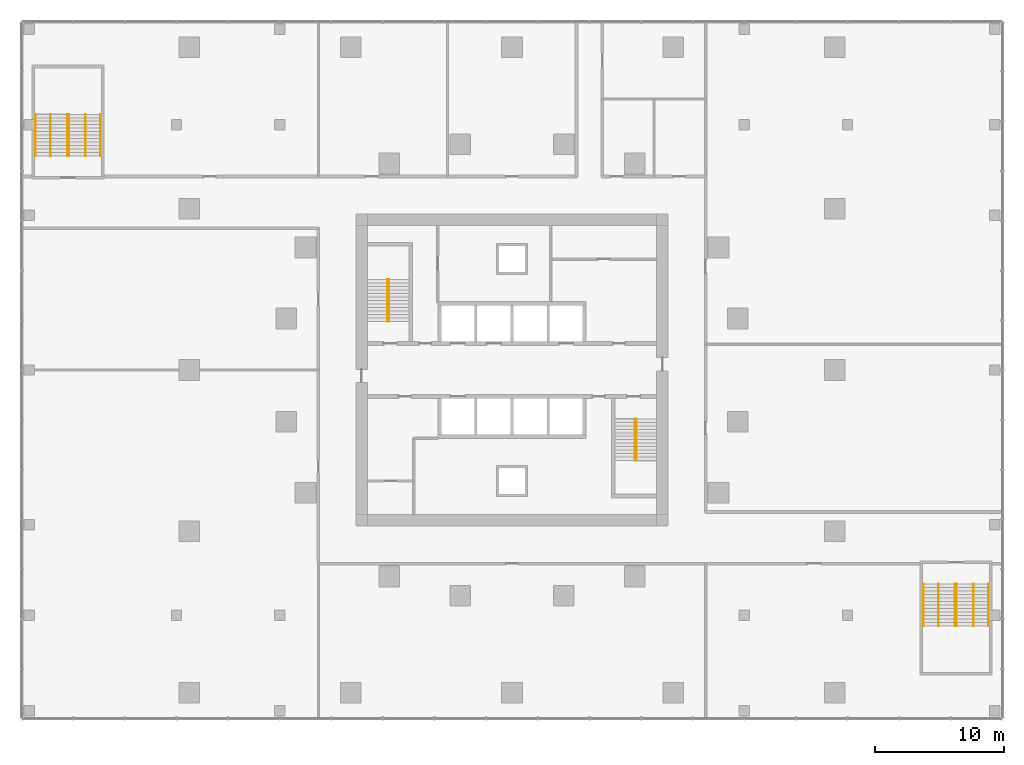
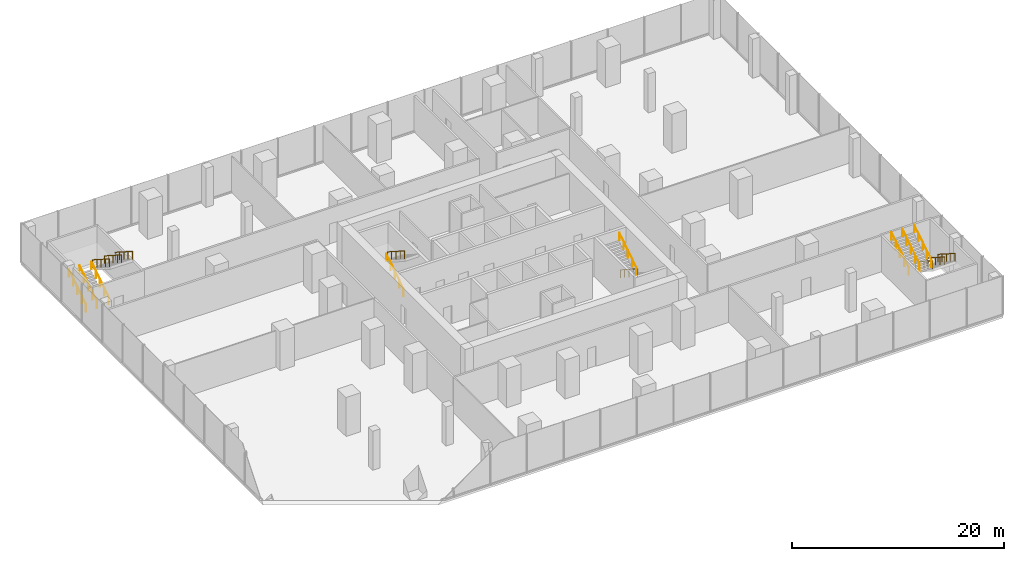
# One storey, part 15 of 15: 16 railings, 4 elements without a shape of their own.
"""IFC4 building model written with IfcOpenShell, lengths in metres."""

from ifc_helpers import new_model, si_unit, direction, frame, origin, origin_2d, place, context, subcontext, project, spatial, circle, extrude, material, type_object, element, aggregate, save


model = new_model("IFC4")

# Units and contexts
model_context = context("Model", 3, precision=1e-05, world=origin(), true_north=direction((0.0, 1.0)))
body_context = subcontext(model_context, "Body", "Model", "MODEL_VIEW")
ifc_project = project(units=[si_unit("LENGTHUNIT", "METRE"), si_unit("AREAUNIT", "SQUARE_METRE"), si_unit("VOLUMEUNIT", "CUBIC_METRE"), si_unit("PLANEANGLEUNIT", "RADIAN"), si_unit("MASSUNIT", "GRAM", prefix="KILO")], contexts=[model_context])

# Site, building, storey
site_placement = place(None, origin())
site = spatial("IfcSite", under=ifc_project, at=site_placement, CompositionType="ELEMENT")
building_placement = place(site_placement, origin())
building = spatial("IfcBuilding", under=site, at=building_placement, Name="Torsade Residences", CompositionType="ELEMENT")
storey_placement = place(building_placement, frame((0.0, 0.0, 6.0)))
storey = spatial("IfcBuildingStorey", under=building, at=storey_placement, Name="L01", CompositionType="ELEMENT", Elevation=6.0)

# Stair, railings
ifc_material_1 = material(Name="Precast concrete 40 MPa", Category="concrete")
stair_type_1 = type_object("IfcStairType", Name="HALF-TURN FIRE STAIR 1500x4500", PredefinedType="HALF_TURN_STAIR", material=ifc_material_1)
stair_1_placement = place(storey_placement, origin())
stair_1 = element("IfcStair", 1, at=stair_1_placement, inside=storey, type_object=stair_type_1, Name="Stair ST1 L01", PredefinedType="HALF_TURN_STAIR")
ifc_material_2 = material(Name="Steel handrail", Category="steel")
railing_type = type_object("IfcRailingType", Name="STAIR HANDRAIL 900", PredefinedType="HANDRAIL", material=ifc_material_2)
railing_1_placement = place(storey_placement, frame((30.35009765625, 33.780029296875, 0.173095703125)))
railing_1 = element("IfcRailing", 2, at=railing_1_placement, type_object=railing_type, Name="Handrail ST1 flight 1 L01", PredefinedType="HANDRAIL", context=body_context, shape_type="SweptSolid", body=[
    extrude(circle(Radius=0.02392578125, at=origin_2d()), frame((0.0, 0.0, 0.8759765625), z_axis=(0.0, 0.841880617004, 0.539663808971), x_axis=(-1.0, 0.0, 0.0)), (0.0, 0.0, 1.0), 3.8486328125),
    extrude(circle(Radius=0.02099609375, at=origin_2d()), origin(), (0.0, 0.0, 1.0), 0.851806640625),
    extrude(circle(Radius=0.02099609375, at=origin_2d()), frame((0.0, 0.81005859375, 0.519287109375)), (0.0, 0.0, 1.0), 0.851806640625),
    extrude(circle(Radius=0.02099609375, at=origin_2d()), frame((0.0, 1.6201171875, 1.03857421875)), (0.0, 0.0, 1.0), 0.851806640625),
    extrude(circle(Radius=0.02099609375, at=origin_2d()), frame((0.0, 2.429931640625, 1.5576171875)), (0.0, 0.0, 1.0), 0.851806640625),
    extrude(circle(Radius=0.02099609375, at=origin_2d()), frame((0.0, 3.239990234375, 2.076904296875)), (0.0, 0.0, 1.0), 0.851806640625),
])
railing_2_placement = place(storey_placement, frame((30.449951171875, 37.02001953125, 2.423095703125)))
railing_2 = element("IfcRailing", 3, at=railing_2_placement, type_object=railing_type, Name="Handrail ST1 flight 2 L01", PredefinedType="HANDRAIL", context=body_context, shape_type="SweptSolid", body=[
    extrude(circle(Radius=0.02392578125, at=origin_2d()), frame((0.0, 0.0, 0.8759765625), z_axis=(0.0, -0.841880617004, 0.539663808971), x_axis=(1.0, 0.0, 0.0)), (0.0, 0.0, 1.0), 3.8486328125),
    extrude(circle(Radius=0.02099609375, at=origin_2d()), origin(), (0.0, 0.0, 1.0), 0.851806640625),
    extrude(circle(Radius=0.02099609375, at=origin_2d()), frame((0.0, -0.81005859375, 0.519287109375)), (0.0, 0.0, 1.0), 0.851806640625),
    extrude(circle(Radius=0.02099609375, at=origin_2d()), frame((0.0, -1.6201171875, 1.03857421875)), (0.0, 0.0, 1.0), 0.851806640625),
    extrude(circle(Radius=0.02099609375, at=origin_2d()), frame((0.0, -2.429931640625, 1.5576171875)), (0.0, 0.0, 1.0), 0.851806640625),
    extrude(circle(Radius=0.02099609375, at=origin_2d()), frame((0.0, -3.239990234375, 2.076904296875)), (0.0, 0.0, 1.0), 0.851806640625),
])
aggregate(stair_1, [railing_1, railing_2])

stair_2_placement = place(storey_placement, origin())
stair_2 = element("IfcStair", 4, at=stair_2_placement, inside=storey, type_object=stair_type_1, Name="Stair ST2 L01", PredefinedType="HALF_TURN_STAIR")
railing_3_placement = place(storey_placement, frame((49.64990234375, 26.219970703125, 0.173095703125)))
railing_3 = element("IfcRailing", 5, at=railing_3_placement, type_object=railing_type, Name="Handrail ST2 flight 1 L01", PredefinedType="HANDRAIL", context=body_context, shape_type="SweptSolid", body=[
    extrude(circle(Radius=0.02392578125, at=origin_2d()), frame((0.0, 0.0, 0.8759765625), z_axis=(0.0, -0.841880617004, 0.539663808971), x_axis=(1.0, 0.0, 0.0)), (0.0, 0.0, 1.0), 3.8486328125),
    extrude(circle(Radius=0.02099609375, at=origin_2d()), origin(), (0.0, 0.0, 1.0), 0.851806640625),
    extrude(circle(Radius=0.02099609375, at=origin_2d()), frame((0.0, -0.81005859375, 0.519287109375)), (0.0, 0.0, 1.0), 0.851806640625),
    extrude(circle(Radius=0.02099609375, at=origin_2d()), frame((0.0, -1.6201171875, 1.03857421875)), (0.0, 0.0, 1.0), 0.851806640625),
    extrude(circle(Radius=0.02099609375, at=origin_2d()), frame((0.0, -2.429931640625, 1.5576171875)), (0.0, 0.0, 1.0), 0.851806640625),
    extrude(circle(Radius=0.02099609375, at=origin_2d()), frame((0.0, -3.239990234375, 2.076904296875)), (0.0, 0.0, 1.0), 0.851806640625),
])
railing_4_placement = place(storey_placement, frame((49.550048828125, 22.97998046875, 2.423095703125)))
railing_4 = element("IfcRailing", 6, at=railing_4_placement, type_object=railing_type, Name="Handrail ST2 flight 2 L01", PredefinedType="HANDRAIL", context=body_context, shape_type="SweptSolid", body=[
    extrude(circle(Radius=0.02392578125, at=origin_2d()), frame((0.0, 0.0, 0.8759765625), z_axis=(0.0, 0.841880617004, 0.539663808971), x_axis=(-1.0, 0.0, 0.0)), (0.0, 0.0, 1.0), 3.8486328125),
    extrude(circle(Radius=0.02099609375, at=origin_2d()), origin(), (0.0, 0.0, 1.0), 0.851806640625),
    extrude(circle(Radius=0.02099609375, at=origin_2d()), frame((0.0, 0.81005859375, 0.519287109375)), (0.0, 0.0, 1.0), 0.851806640625),
    extrude(circle(Radius=0.02099609375, at=origin_2d()), frame((0.0, 1.6201171875, 1.03857421875)), (0.0, 0.0, 1.0), 0.851806640625),
    extrude(circle(Radius=0.02099609375, at=origin_2d()), frame((0.0, 2.429931640625, 1.5576171875)), (0.0, 0.0, 1.0), 0.851806640625),
    extrude(circle(Radius=0.02099609375, at=origin_2d()), frame((0.0, 3.239990234375, 2.076904296875)), (0.0, 0.0, 1.0), 0.851806640625),
])
aggregate(stair_2, [railing_3, railing_4])

ifc_material_3 = material(Name="Concrete 40 MPa", Category="concrete")
stair_type_2 = type_object("IfcStairType", Name="HALF-TURN PODIUM STAIR 2500x4500", PredefinedType="HALF_TURN_STAIR", material=ifc_material_3)
stair_3_placement = place(storey_placement, origin())
stair_3 = element("IfcStair", 7, at=stair_3_placement, inside=storey, type_object=stair_type_2, Name="Stair ST3 L01", PredefinedType="HALF_TURN_STAIR")
railing_5_placement = place(storey_placement, frame((5.550048828125, 46.580078125, 0.173095703125)))
railing_5 = element("IfcRailing", 8, at=railing_5_placement, type_object=railing_type, Name="Handrail ST3 flight 1 L01", PredefinedType="HANDRAIL", context=body_context, shape_type="SweptSolid", body=[
    extrude(circle(Radius=0.02392578125, at=origin_2d()), frame((0.0, 0.0, 0.8759765625), z_axis=(0.0, 0.841880617004, 0.539663808971), x_axis=(-1.0, 0.0, 0.0)), (0.0, 0.0, 1.0), 3.8486328125),
    extrude(circle(Radius=0.02099609375, at=origin_2d()), origin(), (0.0, 0.0, 1.0), 0.851806640625),
    extrude(circle(Radius=0.02099609375, at=origin_2d()), frame((0.0, 0.81005859375, 0.519287109375)), (0.0, 0.0, 1.0), 0.851806640625),
    extrude(circle(Radius=0.02099609375, at=origin_2d()), frame((0.0, 1.6201171875, 1.03857421875)), (0.0, 0.0, 1.0), 0.851806640625),
    extrude(circle(Radius=0.02099609375, at=origin_2d()), frame((0.0, 2.429931640625, 1.5576171875)), (0.0, 0.0, 1.0), 0.851806640625),
    extrude(circle(Radius=0.02099609375, at=origin_2d()), frame((0.0, 3.239990234375, 2.076904296875)), (0.0, 0.0, 1.0), 0.851806640625),
])
railing_6_placement = place(storey_placement, frame((3.073974609375, 46.580078125, 0.173095703125)))
railing_6 = element("IfcRailing", 9, at=railing_6_placement, type_object=railing_type, Name="Handrail ST3 flight 1 wall side L01", PredefinedType="HANDRAIL", context=body_context, shape_type="SweptSolid", body=[
    extrude(circle(Radius=0.02392578125, at=origin_2d()), frame((0.0, 0.0, 0.8759765625), z_axis=(0.0, 0.841880617004, 0.539663808971), x_axis=(-1.0, 0.0, 0.0)), (0.0, 0.0, 1.0), 3.8486328125),
    extrude(circle(Radius=0.02099609375, at=origin_2d()), origin(), (0.0, 0.0, 1.0), 0.851806640625),
    extrude(circle(Radius=0.02099609375, at=origin_2d()), frame((0.0, 0.81005859375, 0.519287109375)), (0.0, 0.0, 1.0), 0.851806640625),
    extrude(circle(Radius=0.02099609375, at=origin_2d()), frame((0.0, 1.6201171875, 1.03857421875)), (0.0, 0.0, 1.0), 0.851806640625),
    extrude(circle(Radius=0.02099609375, at=origin_2d()), frame((0.0, 2.429931640625, 1.5576171875)), (0.0, 0.0, 1.0), 0.851806640625),
    extrude(circle(Radius=0.02099609375, at=origin_2d()), frame((0.0, 3.239990234375, 2.076904296875)), (0.0, 0.0, 1.0), 0.851806640625),
])
railing_7_placement = place(storey_placement, frame((4.25, 46.580078125, 0.173095703125)))
railing_7 = element("IfcRailing", 10, at=railing_7_placement, type_object=railing_type, Name="Handrail ST3 flight 1 intermediate L01", PredefinedType="HANDRAIL", context=body_context, shape_type="SweptSolid", body=[
    extrude(circle(Radius=0.02392578125, at=origin_2d()), frame((0.0, 0.0, 0.8759765625), z_axis=(0.0, 0.841880617004, 0.539663808971), x_axis=(-1.0, 0.0, 0.0)), (0.0, 0.0, 1.0), 3.8486328125),
    extrude(circle(Radius=0.02099609375, at=origin_2d()), origin(), (0.0, 0.0, 1.0), 0.851806640625),
    extrude(circle(Radius=0.02099609375, at=origin_2d()), frame((0.0, 0.81005859375, 0.519287109375)), (0.0, 0.0, 1.0), 0.851806640625),
    extrude(circle(Radius=0.02099609375, at=origin_2d()), frame((0.0, 1.6201171875, 1.03857421875)), (0.0, 0.0, 1.0), 0.851806640625),
    extrude(circle(Radius=0.02099609375, at=origin_2d()), frame((0.0, 2.429931640625, 1.5576171875)), (0.0, 0.0, 1.0), 0.851806640625),
    extrude(circle(Radius=0.02099609375, at=origin_2d()), frame((0.0, 3.239990234375, 2.076904296875)), (0.0, 0.0, 1.0), 0.851806640625),
])
railing_8_placement = place(storey_placement, frame((5.64990234375, 49.820068359375, 2.423095703125)))
railing_8 = element("IfcRailing", 11, at=railing_8_placement, type_object=railing_type, Name="Handrail ST3 flight 2 L01", PredefinedType="HANDRAIL", context=body_context, shape_type="SweptSolid", body=[
    extrude(circle(Radius=0.02392578125, at=origin_2d()), frame((0.0, 0.0, 0.8759765625), z_axis=(0.0, -0.841880617004, 0.539663808971), x_axis=(1.0, 0.0, 0.0)), (0.0, 0.0, 1.0), 3.8486328125),
    extrude(circle(Radius=0.02099609375, at=origin_2d()), origin(), (0.0, 0.0, 1.0), 0.851806640625),
    extrude(circle(Radius=0.02099609375, at=origin_2d()), frame((0.0, -0.81005859375, 0.519287109375)), (0.0, 0.0, 1.0), 0.851806640625),
    extrude(circle(Radius=0.02099609375, at=origin_2d()), frame((0.0, -1.6201171875, 1.03857421875)), (0.0, 0.0, 1.0), 0.851806640625),
    extrude(circle(Radius=0.02099609375, at=origin_2d()), frame((0.0, -2.429931640625, 1.5576171875)), (0.0, 0.0, 1.0), 0.851806640625),
    extrude(circle(Radius=0.02099609375, at=origin_2d()), frame((0.0, -3.239990234375, 2.076904296875)), (0.0, 0.0, 1.0), 0.851806640625),
])
railing_9_placement = place(storey_placement, frame((8.1259765625, 49.820068359375, 2.423095703125)))
railing_9 = element("IfcRailing", 12, at=railing_9_placement, type_object=railing_type, Name="Handrail ST3 flight 2 wall side L01", PredefinedType="HANDRAIL", context=body_context, shape_type="SweptSolid", body=[
    extrude(circle(Radius=0.02392578125, at=origin_2d()), frame((0.0, 0.0, 0.8759765625), z_axis=(0.0, -0.841880617004, 0.539663808971), x_axis=(1.0, 0.0, 0.0)), (0.0, 0.0, 1.0), 3.8486328125),
    extrude(circle(Radius=0.02099609375, at=origin_2d()), origin(), (0.0, 0.0, 1.0), 0.851806640625),
    extrude(circle(Radius=0.02099609375, at=origin_2d()), frame((0.0, -0.81005859375, 0.519287109375)), (0.0, 0.0, 1.0), 0.851806640625),
    extrude(circle(Radius=0.02099609375, at=origin_2d()), frame((0.0, -1.6201171875, 1.03857421875)), (0.0, 0.0, 1.0), 0.851806640625),
    extrude(circle(Radius=0.02099609375, at=origin_2d()), frame((0.0, -2.429931640625, 1.5576171875)), (0.0, 0.0, 1.0), 0.851806640625),
    extrude(circle(Radius=0.02099609375, at=origin_2d()), frame((0.0, -3.239990234375, 2.076904296875)), (0.0, 0.0, 1.0), 0.851806640625),
])
railing_10_placement = place(storey_placement, frame((6.949951171875, 49.820068359375, 2.423095703125)))
railing_10 = element("IfcRailing", 13, at=railing_10_placement, type_object=railing_type, Name="Handrail ST3 flight 2 intermediate L01", PredefinedType="HANDRAIL", context=body_context, shape_type="SweptSolid", body=[
    extrude(circle(Radius=0.02392578125, at=origin_2d()), frame((0.0, 0.0, 0.8759765625), z_axis=(0.0, -0.841880617004, 0.539663808971), x_axis=(1.0, 0.0, 0.0)), (0.0, 0.0, 1.0), 3.8486328125),
    extrude(circle(Radius=0.02099609375, at=origin_2d()), origin(), (0.0, 0.0, 1.0), 0.851806640625),
    extrude(circle(Radius=0.02099609375, at=origin_2d()), frame((0.0, -0.81005859375, 0.519287109375)), (0.0, 0.0, 1.0), 0.851806640625),
    extrude(circle(Radius=0.02099609375, at=origin_2d()), frame((0.0, -1.6201171875, 1.03857421875)), (0.0, 0.0, 1.0), 0.851806640625),
    extrude(circle(Radius=0.02099609375, at=origin_2d()), frame((0.0, -2.429931640625, 1.5576171875)), (0.0, 0.0, 1.0), 0.851806640625),
    extrude(circle(Radius=0.02099609375, at=origin_2d()), frame((0.0, -3.239990234375, 2.076904296875)), (0.0, 0.0, 1.0), 0.851806640625),
])
aggregate(stair_3, [railing_5, railing_6, railing_7, railing_8, railing_9, railing_10])

stair_4_placement = place(storey_placement, origin())
stair_4 = element("IfcStair", 14, at=stair_4_placement, inside=storey, type_object=stair_type_2, Name="Stair ST4 L01", PredefinedType="HALF_TURN_STAIR")
railing_11_placement = place(storey_placement, frame((74.449951171875, 13.419921875, 0.173095703125)))
railing_11 = element("IfcRailing", 15, at=railing_11_placement, type_object=railing_type, Name="Handrail ST4 flight 1 L01", PredefinedType="HANDRAIL", context=body_context, shape_type="SweptSolid", body=[
    extrude(circle(Radius=0.02392578125, at=origin_2d()), frame((0.0, 0.0, 0.8759765625), z_axis=(0.0, -0.841880617004, 0.539663808971), x_axis=(1.0, 0.0, 0.0)), (0.0, 0.0, 1.0), 3.8486328125),
    extrude(circle(Radius=0.02099609375, at=origin_2d()), origin(), (0.0, 0.0, 1.0), 0.851806640625),
    extrude(circle(Radius=0.02099609375, at=origin_2d()), frame((0.0, -0.81005859375, 0.519287109375)), (0.0, 0.0, 1.0), 0.851806640625),
    extrude(circle(Radius=0.02099609375, at=origin_2d()), frame((0.0, -1.6201171875, 1.03857421875)), (0.0, 0.0, 1.0), 0.851806640625),
    extrude(circle(Radius=0.02099609375, at=origin_2d()), frame((0.0, -2.429931640625, 1.5576171875)), (0.0, 0.0, 1.0), 0.851806640625),
    extrude(circle(Radius=0.02099609375, at=origin_2d()), frame((0.0, -3.239990234375, 2.076904296875)), (0.0, 0.0, 1.0), 0.851806640625),
])
railing_12_placement = place(storey_placement, frame((76.926025390625, 13.419921875, 0.173095703125)))
railing_12 = element("IfcRailing", 16, at=railing_12_placement, type_object=railing_type, Name="Handrail ST4 flight 1 wall side L01", PredefinedType="HANDRAIL", context=body_context, shape_type="SweptSolid", body=[
    extrude(circle(Radius=0.02392578125, at=origin_2d()), frame((0.0, 0.0, 0.8759765625), z_axis=(0.0, -0.841880617004, 0.539663808971), x_axis=(1.0, 0.0, 0.0)), (0.0, 0.0, 1.0), 3.8486328125),
    extrude(circle(Radius=0.02099609375, at=origin_2d()), origin(), (0.0, 0.0, 1.0), 0.851806640625),
    extrude(circle(Radius=0.02099609375, at=origin_2d()), frame((0.0, -0.81005859375, 0.519287109375)), (0.0, 0.0, 1.0), 0.851806640625),
    extrude(circle(Radius=0.02099609375, at=origin_2d()), frame((0.0, -1.6201171875, 1.03857421875)), (0.0, 0.0, 1.0), 0.851806640625),
    extrude(circle(Radius=0.02099609375, at=origin_2d()), frame((0.0, -2.429931640625, 1.5576171875)), (0.0, 0.0, 1.0), 0.851806640625),
    extrude(circle(Radius=0.02099609375, at=origin_2d()), frame((0.0, -3.239990234375, 2.076904296875)), (0.0, 0.0, 1.0), 0.851806640625),
])
railing_13_placement = place(storey_placement, frame((75.75, 13.419921875, 0.173095703125)))
railing_13 = element("IfcRailing", 17, at=railing_13_placement, type_object=railing_type, Name="Handrail ST4 flight 1 intermediate L01", PredefinedType="HANDRAIL", context=body_context, shape_type="SweptSolid", body=[
    extrude(circle(Radius=0.02392578125, at=origin_2d()), frame((0.0, 0.0, 0.8759765625), z_axis=(0.0, -0.841880617004, 0.539663808971), x_axis=(1.0, 0.0, 0.0)), (0.0, 0.0, 1.0), 3.8486328125),
    extrude(circle(Radius=0.02099609375, at=origin_2d()), origin(), (0.0, 0.0, 1.0), 0.851806640625),
    extrude(circle(Radius=0.02099609375, at=origin_2d()), frame((0.0, -0.81005859375, 0.519287109375)), (0.0, 0.0, 1.0), 0.851806640625),
    extrude(circle(Radius=0.02099609375, at=origin_2d()), frame((0.0, -1.6201171875, 1.03857421875)), (0.0, 0.0, 1.0), 0.851806640625),
    extrude(circle(Radius=0.02099609375, at=origin_2d()), frame((0.0, -2.429931640625, 1.5576171875)), (0.0, 0.0, 1.0), 0.851806640625),
    extrude(circle(Radius=0.02099609375, at=origin_2d()), frame((0.0, -3.239990234375, 2.076904296875)), (0.0, 0.0, 1.0), 0.851806640625),
])
railing_14_placement = place(storey_placement, frame((74.35009765625, 10.179931640625, 2.423095703125)))
railing_14 = element("IfcRailing", 18, at=railing_14_placement, type_object=railing_type, Name="Handrail ST4 flight 2 L01", PredefinedType="HANDRAIL", context=body_context, shape_type="SweptSolid", body=[
    extrude(circle(Radius=0.02392578125, at=origin_2d()), frame((0.0, 0.0, 0.8759765625), z_axis=(0.0, 0.841880617004, 0.539663808971), x_axis=(-1.0, 0.0, 0.0)), (0.0, 0.0, 1.0), 3.8486328125),
    extrude(circle(Radius=0.02099609375, at=origin_2d()), origin(), (0.0, 0.0, 1.0), 0.851806640625),
    extrude(circle(Radius=0.02099609375, at=origin_2d()), frame((0.0, 0.81005859375, 0.519287109375)), (0.0, 0.0, 1.0), 0.851806640625),
    extrude(circle(Radius=0.02099609375, at=origin_2d()), frame((0.0, 1.6201171875, 1.03857421875)), (0.0, 0.0, 1.0), 0.851806640625),
    extrude(circle(Radius=0.02099609375, at=origin_2d()), frame((0.0, 2.429931640625, 1.5576171875)), (0.0, 0.0, 1.0), 0.851806640625),
    extrude(circle(Radius=0.02099609375, at=origin_2d()), frame((0.0, 3.239990234375, 2.076904296875)), (0.0, 0.0, 1.0), 0.851806640625),
])
railing_15_placement = place(storey_placement, frame((71.8740234375, 10.179931640625, 2.423095703125)))
railing_15 = element("IfcRailing", 19, at=railing_15_placement, type_object=railing_type, Name="Handrail ST4 flight 2 wall side L01", PredefinedType="HANDRAIL", context=body_context, shape_type="SweptSolid", body=[
    extrude(circle(Radius=0.02392578125, at=origin_2d()), frame((0.0, 0.0, 0.8759765625), z_axis=(0.0, 0.841880617004, 0.539663808971), x_axis=(-1.0, 0.0, 0.0)), (0.0, 0.0, 1.0), 3.8486328125),
    extrude(circle(Radius=0.02099609375, at=origin_2d()), origin(), (0.0, 0.0, 1.0), 0.851806640625),
    extrude(circle(Radius=0.02099609375, at=origin_2d()), frame((0.0, 0.81005859375, 0.519287109375)), (0.0, 0.0, 1.0), 0.851806640625),
    extrude(circle(Radius=0.02099609375, at=origin_2d()), frame((0.0, 1.6201171875, 1.03857421875)), (0.0, 0.0, 1.0), 0.851806640625),
    extrude(circle(Radius=0.02099609375, at=origin_2d()), frame((0.0, 2.429931640625, 1.5576171875)), (0.0, 0.0, 1.0), 0.851806640625),
    extrude(circle(Radius=0.02099609375, at=origin_2d()), frame((0.0, 3.239990234375, 2.076904296875)), (0.0, 0.0, 1.0), 0.851806640625),
])
railing_16_placement = place(storey_placement, frame((73.050048828125, 10.179931640625, 2.423095703125)))
railing_16 = element("IfcRailing", 20, at=railing_16_placement, type_object=railing_type, Name="Handrail ST4 flight 2 intermediate L01", PredefinedType="HANDRAIL", context=body_context, shape_type="SweptSolid", body=[
    extrude(circle(Radius=0.02392578125, at=origin_2d()), frame((0.0, 0.0, 0.8759765625), z_axis=(0.0, 0.841880617004, 0.539663808971), x_axis=(-1.0, 0.0, 0.0)), (0.0, 0.0, 1.0), 3.8486328125),
    extrude(circle(Radius=0.02099609375, at=origin_2d()), origin(), (0.0, 0.0, 1.0), 0.851806640625),
    extrude(circle(Radius=0.02099609375, at=origin_2d()), frame((0.0, 0.81005859375, 0.519287109375)), (0.0, 0.0, 1.0), 0.851806640625),
    extrude(circle(Radius=0.02099609375, at=origin_2d()), frame((0.0, 1.6201171875, 1.03857421875)), (0.0, 0.0, 1.0), 0.851806640625),
    extrude(circle(Radius=0.02099609375, at=origin_2d()), frame((0.0, 2.429931640625, 1.5576171875)), (0.0, 0.0, 1.0), 0.851806640625),
    extrude(circle(Radius=0.02099609375, at=origin_2d()), frame((0.0, 3.239990234375, 2.076904296875)), (0.0, 0.0, 1.0), 0.851806640625),
])
aggregate(stair_4, [railing_11, railing_12, railing_13, railing_14, railing_15, railing_16])

save(model, "model.ifc")
